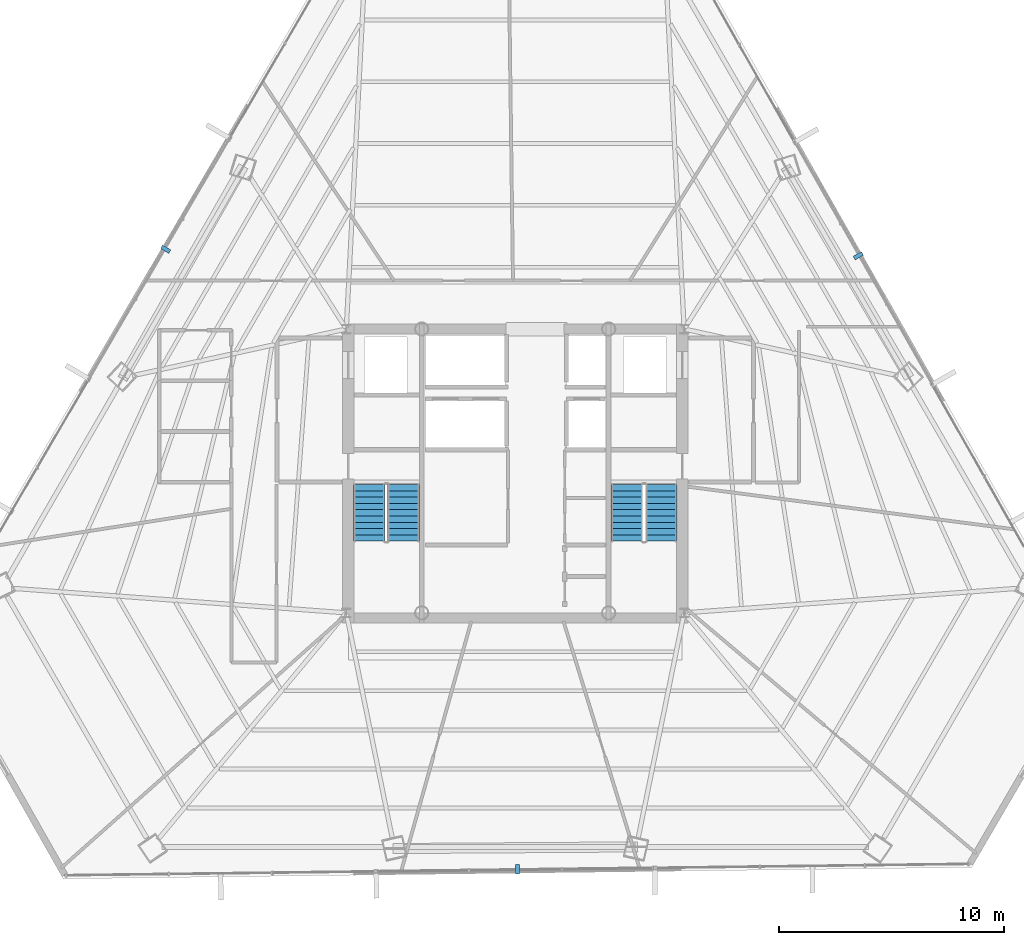
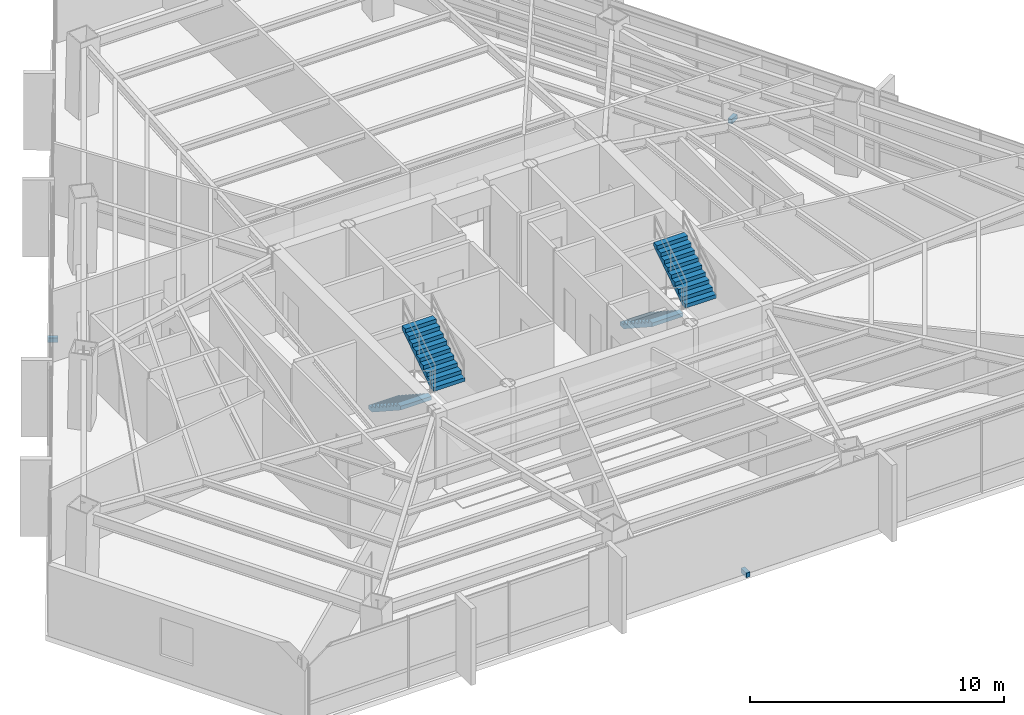
# One storey, part 38 of 41: 4 stair flights, 3 discrete accessories, 2 elements without a shape of their own.
"""IFC4 building model written with IfcOpenShell, lengths in metres."""

from ifc_helpers import new_model, si_unit, direction, frame, origin, origin_2d, place, context, subcontext, project, spatial, polyline, rectangle, outline, extrude, source, transform, mapped, material, type_object, type_shapes, element, aggregate, save


model = new_model("IFC4")

# Units and contexts
model_context = context("Model", 3, precision=1e-05, world=origin(), true_north=direction((0.0, 1.0)))
body_context = subcontext(model_context, "Body", "Model", "MODEL_VIEW")
ifc_project = project(units=[si_unit("LENGTHUNIT", "METRE"), si_unit("AREAUNIT", "SQUARE_METRE"), si_unit("VOLUMEUNIT", "CUBIC_METRE"), si_unit("PLANEANGLEUNIT", "RADIAN"), si_unit("MASSUNIT", "GRAM", prefix="KILO")], contexts=[model_context])

# Site, building, storey
site_placement = place(None, origin())
site = spatial("IfcSite", under=ifc_project, at=site_placement, CompositionType="ELEMENT")
building_placement = place(site_placement, origin())
building = spatial("IfcBuilding", under=site, at=building_placement, Name="Caelisora Broadcast Tower", CompositionType="ELEMENT")
storey_placement = place(building_placement, frame((0.0, 0.0, 135.449951171875)))
storey = spatial("IfcBuildingStorey", under=building, at=storey_placement, Name="L35", CompositionType="ELEMENT", Elevation=135.449951171875)

# Stair, stair flights
ifc_material_1 = material(Name="Concrete 40 MPa (AS 3600 N40)", Category="concrete")
stair_type_1 = type_object("IfcStairType", Name="ST-1", PredefinedType="HALF_TURN_STAIR", material=ifc_material_1)
stair_1_placement = place(storey_placement, origin())
stair_1 = element("IfcStair", 1, at=stair_1_placement, inside=storey, type_object=stair_type_1, Name="L35 West Fire-Isolated Tower Stair", PredefinedType="HALF_TURN_STAIR")
stair_flight_type = type_object("IfcStairFlightType", Name="STF-3", PredefinedType="STRAIGHT", material=ifc_material_1)
stair_flight_1_placement = place(storey_placement, frame((31.52001953125, 23.10009765625, 0.0), z_axis=(0.0, 0.0, 1.0), x_axis=(0.0, -1.0, 0.0)))
stair_flight_1 = element("IfcStairFlight", 2, at=stair_flight_1_placement, type_object=stair_flight_type, Name="ST-1 flight 1", NumberOfRisers=10, NumberOfTreads=9, PredefinedType="STRAIGHT", RiserHeight=0.1825, TreadLength=0.28, context=body_context, shape_type="SweptSolid", body=[
    extrude(outline(polyline([(0.0, 0.0), (0.0, 0.1826171875), (0.280029296875, 0.1826171875), (0.280029296875, 0.364990234375), (0.56005859375, 0.364990234375), (0.56005859375, 0.547607421875), (0.840087890625, 0.547607421875), (0.840087890625, 0.72998046875), (1.1201171875, 0.72998046875), (1.1201171875, 0.91259765625), (1.39990234375, 0.91259765625), (1.39990234375, 1.094970703125), (1.679931640625, 1.094970703125), (1.679931640625, 1.277587890625), (1.9599609375, 1.277587890625), (1.9599609375, 1.4599609375), (2.239990234375, 1.4599609375), (2.239990234375, 1.642578125), (2.52001953125, 1.642578125), (2.52001953125, 1.824951171875), (2.52001953125, 1.463623046875), (0.2744140625, 0.0), (0.0, 0.0)])), frame((0.0, 0.699951171875, 0.0), z_axis=(0.0, -1.0, 0.0), x_axis=(1.0, 0.0, 0.0)), (0.0, 0.0, 1.0), 1.39990234375),
])
stair_flight_2_placement = place(storey_placement, frame((33.0400390625, 20.580078125, 1.824951171875), z_axis=(0.0, 0.0, 1.0), x_axis=(0.0, 1.0, 0.0)))
stair_flight_2 = element("IfcStairFlight", 3, at=stair_flight_2_placement, type_object=stair_flight_type, Name="ST-1 flight 2", NumberOfRisers=10, NumberOfTreads=9, PredefinedType="STRAIGHT", RiserHeight=0.1825, TreadLength=0.28, context=body_context, shape_type="SweptSolid", body=[
    extrude(outline(polyline([(0.0, 0.0), (0.0, 0.1826171875), (0.280029296875, 0.1826171875), (0.280029296875, 0.364990234375), (0.56005859375, 0.364990234375), (0.56005859375, 0.547607421875), (0.840087890625, 0.547607421875), (0.840087890625, 0.72998046875), (1.1201171875, 0.72998046875), (1.1201171875, 0.91259765625), (1.39990234375, 0.91259765625), (1.39990234375, 1.094970703125), (1.679931640625, 1.094970703125), (1.679931640625, 1.277587890625), (1.9599609375, 1.277587890625), (1.9599609375, 1.4599609375), (2.239990234375, 1.4599609375), (2.239990234375, 1.642578125), (2.52001953125, 1.642578125), (2.52001953125, 1.824951171875), (2.52001953125, 1.463623046875), (0.2744140625, 0.0), (0.0, 0.0)])), frame((0.0, 0.699951171875, 0.0), z_axis=(0.0, -1.0, 0.0), x_axis=(1.0, 0.0, 0.0)), (0.0, 0.0, 1.0), 1.39990234375),
])
aggregate(stair_1, [stair_flight_1, stair_flight_2])

stair_type_2 = type_object("IfcStairType", Name="ST-2", PredefinedType="HALF_TURN_STAIR", material=ifc_material_1)
stair_2_placement = place(storey_placement, origin())
stair_2 = element("IfcStair", 4, at=stair_2_placement, inside=storey, type_object=stair_type_2, Name="L35 East Fire-Isolated Tower Stair", PredefinedType="HALF_TURN_STAIR")
stair_flight_3_placement = place(storey_placement, frame((42.9599609375, 23.10009765625, 0.0), z_axis=(0.0, 0.0, 1.0), x_axis=(0.0, -1.0, 0.0)))
stair_flight_3 = element("IfcStairFlight", 5, at=stair_flight_3_placement, type_object=stair_flight_type, Name="ST-2 flight 1", NumberOfRisers=10, NumberOfTreads=9, PredefinedType="STRAIGHT", RiserHeight=0.1825, TreadLength=0.28, context=body_context, shape_type="SweptSolid", body=[
    extrude(outline(polyline([(0.0, 0.0), (0.0, 0.1826171875), (0.280029296875, 0.1826171875), (0.280029296875, 0.364990234375), (0.56005859375, 0.364990234375), (0.56005859375, 0.547607421875), (0.840087890625, 0.547607421875), (0.840087890625, 0.72998046875), (1.1201171875, 0.72998046875), (1.1201171875, 0.91259765625), (1.39990234375, 0.91259765625), (1.39990234375, 1.094970703125), (1.679931640625, 1.094970703125), (1.679931640625, 1.277587890625), (1.9599609375, 1.277587890625), (1.9599609375, 1.4599609375), (2.239990234375, 1.4599609375), (2.239990234375, 1.642578125), (2.52001953125, 1.642578125), (2.52001953125, 1.824951171875), (2.52001953125, 1.463623046875), (0.2744140625, 0.0), (0.0, 0.0)])), frame((0.0, 0.699951171875, 0.0), z_axis=(0.0, -1.0, 0.0), x_axis=(1.0, 0.0, 0.0)), (0.0, 0.0, 1.0), 1.39990234375),
])
stair_flight_4_placement = place(storey_placement, frame((44.47998046875, 20.580078125, 1.824951171875), z_axis=(0.0, 0.0, 1.0), x_axis=(0.0, 1.0, 0.0)))
stair_flight_4 = element("IfcStairFlight", 6, at=stair_flight_4_placement, type_object=stair_flight_type, Name="ST-2 flight 2", NumberOfRisers=10, NumberOfTreads=9, PredefinedType="STRAIGHT", RiserHeight=0.1825, TreadLength=0.28, context=body_context, shape_type="SweptSolid", body=[
    extrude(outline(polyline([(0.0, 0.0), (0.0, 0.1826171875), (0.280029296875, 0.1826171875), (0.280029296875, 0.364990234375), (0.56005859375, 0.364990234375), (0.56005859375, 0.547607421875), (0.840087890625, 0.547607421875), (0.840087890625, 0.72998046875), (1.1201171875, 0.72998046875), (1.1201171875, 0.91259765625), (1.39990234375, 0.91259765625), (1.39990234375, 1.094970703125), (1.679931640625, 1.094970703125), (1.679931640625, 1.277587890625), (1.9599609375, 1.277587890625), (1.9599609375, 1.4599609375), (2.239990234375, 1.4599609375), (2.239990234375, 1.642578125), (2.52001953125, 1.642578125), (2.52001953125, 1.824951171875), (2.52001953125, 1.463623046875), (0.2744140625, 0.0), (0.0, 0.0)])), frame((0.0, 0.699951171875, 0.0), z_axis=(0.0, -1.0, 0.0), x_axis=(1.0, 0.0, 0.0)), (0.0, 0.0, 1.0), 1.39990234375),
])
aggregate(stair_2, [stair_flight_3, stair_flight_4])

# Discrete accessories
ifc_material_2 = material(Name="Steel Grade 350 (AS/NZS 3679.1)", Category="steel")
discrete_accessory_type = type_object("IfcDiscreteAccessoryType", Name="BRK-1", PredefinedType="BRACKET", material=ifc_material_2)
shared_shape = source(origin(), body_context, "Body", "SweptSolid", [
    extrude(rectangle(XDim=0.179931640625, YDim=0.419921875, at=origin_2d()), origin(), (0.0, 0.0, 1.0), 0.219970703125),
])
type_shapes(discrete_accessory_type, [shared_shape])
for number, where, z_axis, x_axis, name in (
    (7, (22.48291015625, 33.541748046875, -0.16015625), (0.0, 0.0, 1.0), (-0.504527623815, -0.863395550607, 0.0), "L35 solar screen outrigger bracket #1"),
    (8, (38.09716796875, 6.02490234375, -0.16015625), (0.0, 0.0, 1.0), (0.999921044204, 0.012566039883, 0.0), "L35 solar screen outrigger bracket #2"),
    (9, (53.2314453125, 33.252685546875, -0.16015625), (0.0, 0.0, 1.0), (-0.493638325511, 0.869667294767, 0.0), "L35 solar screen outrigger bracket #3"),
):
    element("IfcDiscreteAccessory", number, at=place(storey_placement, frame(where, z_axis=z_axis, x_axis=x_axis)), inside=storey, type_object=discrete_accessory_type, Name=name, PredefinedType="BRACKET", context=body_context, shape_type="MappedRepresentation", body=[
        mapped(shared_shape, transform((0.0, 0.0, 0.0), scale=1.0)),
    ])

save(model, "model.ifc")
